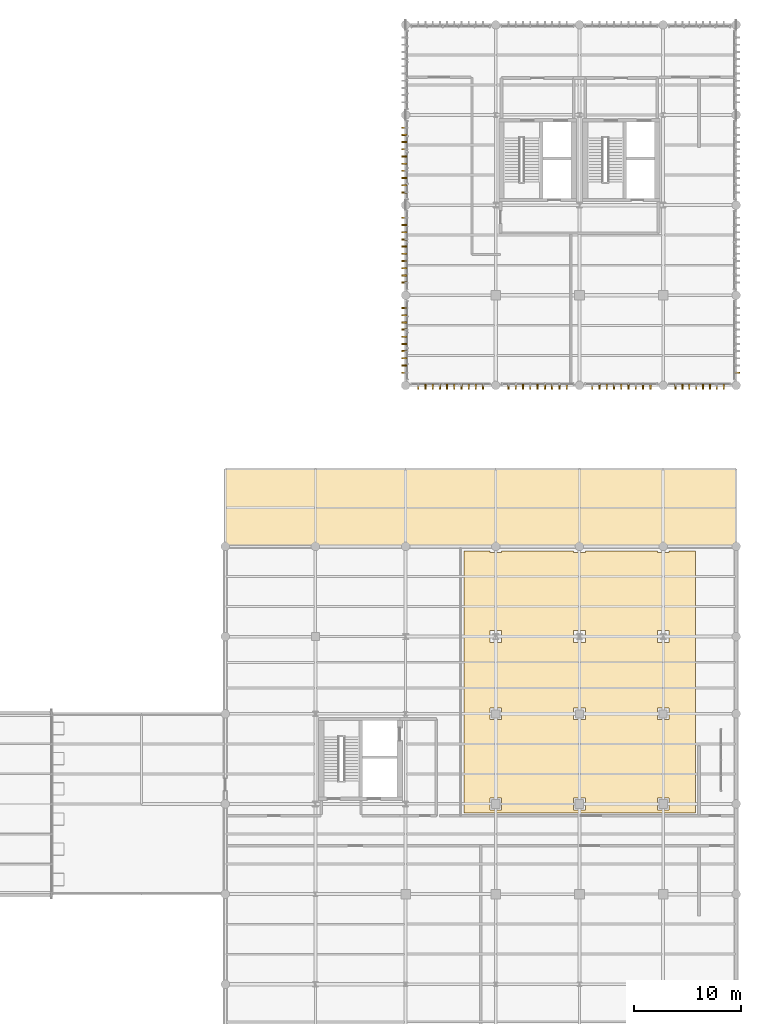
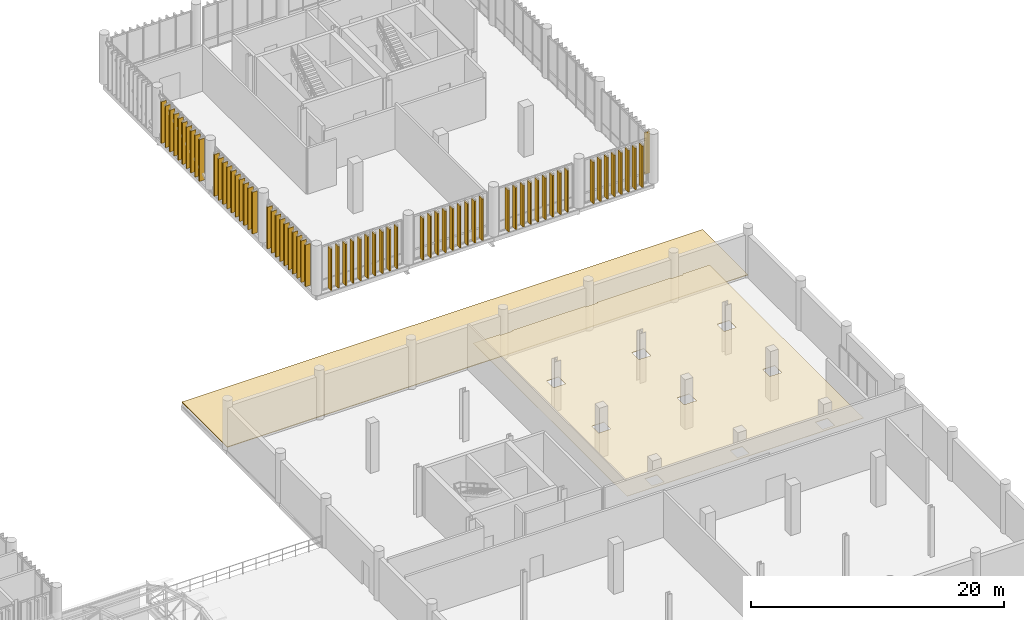
# One storey, part 105 of 109: 69 coverings, 1 element without a shape of its own.
"""IFC4 building model written with IfcOpenShell, lengths in metres."""

import ifcopenshell
import ifcopenshell.guid

model = None  # the IFC model being written
_history = None  # IfcOwnerHistory: only IFC2X3 demands one
_inside = {}  # id of a spatial element -> (the spatial element, [elements in it])
_under = {}  # id of a project, library or spatial element -> (it, [spatial elements below it])
_declared = {}  # id of a project -> (the project, [libraries it declares])
_typed = {}  # id of a type object -> (the type object, [elements of that type])
_made_of = {}  # id of a material, layer set ... -> (it, [elements and type objects made of it])


def new_model(schema):
    """Start an empty IFC model of exactly this schema.

    Asked for "IFC4X3", IfcOpenShell would pick the latest addendum, in which some entities
    have other attributes; the version numbers below select the first issue.
    IFC2X3 requires an IfcOwnerHistory on every rooted entity: one is made here for all.
    """
    global model, _history
    if schema == "IFC4X3":
        model = ifcopenshell.file(schema_version=(4, 3, 0, 0))
    else:
        model = ifcopenshell.file(schema=schema)
    _inside.clear()
    _under.clear()
    _declared.clear()
    _typed.clear()
    _made_of.clear()
    _history = None
    if model.schema == "IFC2X3":
        org = make("IfcOrganization", Name="unknown")
        user = make(
            "IfcPersonAndOrganization",
            ThePerson=make("IfcPerson", FamilyName="unknown"),
            TheOrganization=org,
        )
        app = make(
            "IfcApplication",
            ApplicationDeveloper=org,
            Version="unknown",
            ApplicationFullName="unknown",
            ApplicationIdentifier="unknown",
        )
        _history = make(
            "IfcOwnerHistory",
            OwningUser=user,
            OwningApplication=app,
            ChangeAction="ADDED",
            CreationDate=0,
        )
    return model


def make(cls, **values):
    """One entity of the class cls with the attributes given. An attribute that is None is left unset."""
    return model.create_entity(
        cls, **{name: value for name, value in values.items() if value is not None}
    )


def rooted(cls, **values):
    """An entity with a GlobalId (a new one), such as an element, a storey or a relation."""
    return make(cls, GlobalId=ifcopenshell.guid.new(), OwnerHistory=_history, **values)


def si_unit(unit_type, name, prefix=None):
    """IfcSIUnit, for example si_unit("LENGTHUNIT", "METRE", prefix="MILLI")."""
    return make("IfcSIUnit", UnitType=unit_type, Prefix=prefix, Name=name)


def assignment(units):
    """IfcUnitAssignment: the units of a project."""
    return None if units is None else make("IfcUnitAssignment", Units=units)


def point(xyz):
    """IfcCartesianPoint."""
    return None if xyz is None else make("IfcCartesianPoint", Coordinates=xyz)


def direction(xyz):
    """IfcDirection."""
    return None if xyz is None else make("IfcDirection", DirectionRatios=xyz)


def frame(location, z_axis=None, x_axis=None):
    """IfcAxis2Placement3D, a coordinate frame: its origin and axes. An axis left out is left unset."""
    return make(
        "IfcAxis2Placement3D",
        Location=point(location),
        Axis=direction(z_axis),
        RefDirection=direction(x_axis),
    )


def frame_2d(location, x_axis=None):
    """IfcAxis2Placement2D, a coordinate frame in the plane: its origin and x axis."""
    return make(
        "IfcAxis2Placement2D", Location=point(location), RefDirection=direction(x_axis)
    )


def origin_with_axes():
    """The frame at (0, 0, 0) with the z axis (0, 0, 1) and the x axis (1, 0, 0) written out."""
    return frame((0.0, 0.0, 0.0), z_axis=(0.0, 0.0, 1.0), x_axis=(1.0, 0.0, 0.0))


def place(relative_to, where):
    """IfcLocalPlacement: puts the frame where relative to a parent placement (None: the world)."""
    return make(
        "IfcLocalPlacement", PlacementRelTo=relative_to, RelativePlacement=where
    )


def context(
    kind, dimensions, precision=None, world=None, true_north=None, identifier=None
):
    """IfcGeometricRepresentationContext, for example the 3D "Model" context."""
    return make(
        "IfcGeometricRepresentationContext",
        ContextIdentifier=identifier,
        ContextType=kind,
        CoordinateSpaceDimension=dimensions,
        Precision=precision,
        WorldCoordinateSystem=world,
        TrueNorth=true_north,
    )


def subcontext(parent, identifier, kind, view, scale=None):
    """IfcGeometricRepresentationSubContext, for example "Body" below "Model"."""
    return make(
        "IfcGeometricRepresentationSubContext",
        ContextIdentifier=identifier,
        ContextType=kind,
        ParentContext=parent,
        TargetScale=scale,
        TargetView=view,
    )


def project(units=None, contexts=None):
    """IfcProject with its units and contexts."""
    return rooted(
        "IfcProject",
        Name="project",
        RepresentationContexts=contexts,
        UnitsInContext=assignment(units),
    )


def spatial(cls, under=None, at=None, **own):
    """A site, building, storey or space (cls), placed at a placement, below another one or the project."""
    s = rooted(cls, ObjectPlacement=at, **own)
    if under is not None:
        _under.setdefault(under.id(), (under, []))[1].append(s)
    return s


def polyline(points):
    """IfcPolyline through the points."""
    return make("IfcPolyline", Points=[point(p) for p in points])


def profile(cls, at=None, kind="AREA", **sizes):
    """A parametric profile (cls). Its sizes go by their IFC names, for example OverallWidth=200.0."""
    return make(cls, ProfileType=kind, Position=at, **sizes)


def rectangle(**sizes):
    """IfcRectangleProfileDef."""
    return profile("IfcRectangleProfileDef", **sizes)


def outline(outer, holes=None, kind="AREA"):
    """IfcArbitraryClosedProfileDef: a profile drawn as a closed curve; with holes, ...WithVoids."""
    if holes is None:
        return make("IfcArbitraryClosedProfileDef", ProfileType=kind, OuterCurve=outer)
    return make(
        "IfcArbitraryProfileDefWithVoids",
        ProfileType=kind,
        OuterCurve=outer,
        InnerCurves=holes,
    )


def extrude(swept, where, along, depth):
    """IfcExtrudedAreaSolid: the profile swept, set in the frame where, extruded along a direction by depth."""
    return make(
        "IfcExtrudedAreaSolid",
        SweptArea=swept,
        Position=where,
        ExtrudedDirection=direction(along),
        Depth=depth,
    )


def shape(context_of_items, identifier, shape_type, items):
    """IfcShapeRepresentation: the items that make up one representation, for example the "Body"."""
    return make(
        "IfcShapeRepresentation",
        ContextOfItems=context_of_items,
        RepresentationIdentifier=identifier,
        RepresentationType=shape_type,
        Items=items,
    )


def material(Name=None, Category=None):
    """IfcMaterial."""
    return make("IfcMaterial", Name=Name, Category=Category)


def made_of(thing, what):
    """Note that an element or type object is made of a material, layer set ...; save() writes the relation."""
    if what is not None:
        _made_of.setdefault(what.id(), (what, []))[1].append(thing)
    return thing


def type_object(cls, material=None, **own):
    """A type object (cls), such as IfcWallType, which elements share."""
    return made_of(rooted(cls, **own), material)


def element(
    cls,
    number,
    at=None,
    inside=None,
    cuts=None,
    type_object=None,
    material=None,
    context=None,
    identifier="Body",
    shape_type=None,
    held_by="IfcProductDefinitionShape",
    body=None,
    shapes=None,
    **own,
):
    """One element of the class cls, such as IfcWall. Its Tag is "e" and its number.

    at: its placement. inside: the storey or other place that contains it. cuts: it is an
    opening in that element (IfcRelVoidsElement). A single representation is given by context,
    identifier, shape_type and body (its items); several are given by shapes. held_by: the class
    of the entity that holds the representations. save() writes the other relations.
    """
    e = rooted(cls, Tag="e%d" % number, ObjectPlacement=at, **own)
    if body is not None:
        shapes = [shape(context, identifier, shape_type, body)]
    if shapes is not None:
        e.Representation = make(held_by, Representations=shapes)
    if inside is not None:
        _inside.setdefault(inside.id(), (inside, []))[1].append(e)
    if cuts is not None:
        rooted(
            "IfcRelVoidsElement", RelatingBuildingElement=cuts, RelatedOpeningElement=e
        )
    if type_object is not None:
        _typed.setdefault(type_object.id(), (type_object, []))[1].append(e)
    return made_of(e, material)


def aggregate(whole, parts):
    """IfcRelAggregates: a whole, such as a stair, and the parts it consists of."""
    return rooted("IfcRelAggregates", RelatingObject=whole, RelatedObjects=parts)


def save(model, path):
    """Write the relations noted so far, then the file.

    IfcRelAggregates (storeys below a building ...), IfcRelContainedInSpatialStructure (elements
    in a storey), IfcRelDefinesByType, IfcRelAssociatesMaterial and IfcRelDeclares: one each for
    every whole, place, type object, material and project.
    """
    for whole, parts in _under.values():
        aggregate(whole, parts)
    for where, things in _inside.values():
        rooted(
            "IfcRelContainedInSpatialStructure",
            RelatedElements=things,
            RelatingStructure=where,
        )
    for kind, things in _typed.values():
        rooted("IfcRelDefinesByType", RelatedObjects=things, RelatingType=kind)
    for what, things in _made_of.values():
        rooted("IfcRelAssociatesMaterial", RelatedObjects=things, RelatingMaterial=what)
    for by, libraries in _declared.values():
        rooted("IfcRelDeclares", RelatingContext=by, RelatedDefinitions=libraries)
    model.write(path)


model = new_model("IFC4")

# Units and contexts
model_context = context("Model", 3, precision=1e-05, world=origin_with_axes(), true_north=direction((0.0, 1.0)))
body_context = subcontext(model_context, "Body", "Model", "MODEL_VIEW")
ifc_project = project(units=[si_unit("LENGTHUNIT", "METRE"), si_unit("AREAUNIT", "SQUARE_METRE"), si_unit("VOLUMEUNIT", "CUBIC_METRE"), si_unit("PLANEANGLEUNIT", "RADIAN"), si_unit("MASSUNIT", "GRAM", prefix="KILO"), si_unit("THERMODYNAMICTEMPERATUREUNIT", "KELVIN")], contexts=[model_context])

# Site, building, storey
site_placement = place(None, origin_with_axes())
site = spatial("IfcSite", under=ifc_project, at=site_placement, CompositionType="ELEMENT")
building_placement = place(site_placement, origin_with_axes())
building = spatial("IfcBuilding", under=site, at=building_placement, Name="Montbau Bow Law Courts", CompositionType="ELEMENT")
storey_placement = place(building_placement, frame((0.0, 0.0, 10.8), z_axis=(0.0, 0.0, 1.0), x_axis=(1.0, 0.0, 0.0)))
storey = spatial("IfcBuildingStorey", under=building, at=storey_placement, Name="L02", CompositionType="ELEMENT", Elevation=10.8)

# Coverings
ifc_material_1 = material(Name="Micro-Perforated White-Oak Acoustic Courtroom Ceiling", Category="wood")
covering_type_1 = type_object("IfcCoveringType", Name="CV-CLG-01", PredefinedType="CEILING", material=ifc_material_1)
covering_1_placement = place(None, frame((0.0, 0.0, 13.34), z_axis=(0.0, 0.0, 1.0), x_axis=(1.0, 0.0, 0.0)))
element("IfcCovering", 1, at=covering_1_placement, inside=storey, type_object=covering_type_1, Name="CLG-L02-08:cov_3550", PredefinedType="CEILING", context=body_context, shape_type="SweptSolid", body=[
    extrude(outline(polyline([(146.45, 54.16), (146.45, 54.05), (147.55, 54.05), (147.55, 54.16), (154.25, 54.16), (154.25, 54.05), (155.35, 54.05), (155.35, 54.16), (162.05, 54.16), (162.05, 54.05), (163.15, 54.05), (163.15, 54.16), (165.63, 54.16), (165.63, 29.78), (144.024, 29.78), (144.024, 54.16), (146.45, 54.16)]), holes=[polyline([(146.45, 31.15), (146.45, 30.05), (147.55, 30.05), (147.55, 31.15), (146.45, 31.15)]), polyline([(146.45, 39.55), (146.45, 38.45), (147.55, 38.45), (147.55, 39.55), (146.45, 39.55)]), polyline([(146.45, 46.75), (146.45, 45.65), (147.55, 45.65), (147.55, 46.75), (146.45, 46.75)]), polyline([(154.25, 31.15), (154.25, 30.05), (155.35, 30.05), (155.35, 31.15), (154.25, 31.15)]), polyline([(162.05, 31.15), (162.05, 30.05), (163.15, 30.05), (163.15, 31.15), (162.05, 31.15)]), polyline([(155.35, 39.55), (154.25, 39.55), (154.25, 38.45), (155.35, 38.45), (155.35, 39.55)]), polyline([(163.15, 39.55), (162.05, 39.55), (162.05, 38.45), (163.15, 38.45), (163.15, 39.55)]), polyline([(162.05, 46.75), (162.05, 45.65), (163.15, 45.65), (163.15, 46.75), (162.05, 46.75)]), polyline([(155.35, 46.75), (154.25, 46.75), (154.25, 45.65), (155.35, 45.65), (155.35, 46.75)])]), origin_with_axes(), (0.0, 0.0, 1.0), 0.04),
])
ifc_material_2 = material(Name="Freeze-Thaw Glazed Slate-Grey Ceramic Vertical Louvre", Category="masonry")
covering_type_2 = type_object("IfcCoveringType", Name="CV-LVR-SLT", PredefinedType="CLADDING", material=ifc_material_2)
for number, where, z_axis, x_axis, name in (
    (2, (139.785, 69.73, 10.8), (-1.0, 0.0, 0.0), (0.0, -1.0, 0.0), "CLV-L02-2598:cov_2643"),
    (3, (140.455, 69.73, 10.8), (-1.0, 0.0, 0.0), (0.0, -1.0, 0.0), "CLV-L02-2599:cov_2644"),
    (4, (141.125, 69.73, 10.8), (-1.0, 0.0, 0.0), (0.0, -1.0, 0.0), "CLV-L02-2600:cov_2645"),
    (5, (141.795, 69.73, 10.8), (-1.0, 0.0, 0.0), (0.0, -1.0, 0.0), "CLV-L02-2601:cov_2646"),
    (6, (142.465, 69.73, 10.8), (-1.0, 0.0, 0.0), (0.0, -1.0, 0.0), "CLV-L02-2602:cov_2647"),
    (7, (143.135, 69.73, 10.8), (-1.0, 0.0, 0.0), (0.0, -1.0, 0.0), "CLV-L02-2603:cov_2648"),
    (8, (143.805, 69.73, 10.8), (-1.0, 0.0, 0.0), (0.0, -1.0, 0.0), "CLV-L02-2604:cov_2649"),
    (9, (144.475, 69.73, 10.8), (-1.0, 0.0, 0.0), (0.0, -1.0, 0.0), "CLV-L02-2605:cov_2650"),
    (10, (145.145, 69.73, 10.8), (-1.0, 0.0, 0.0), (0.0, -1.0, 0.0), "CLV-L02-2606:cov_2651"),
    (11, (145.815, 69.73, 10.8), (-1.0, 0.0, 0.0), (0.0, -1.0, 0.0), "CLV-L02-2607:cov_2652"),
    (12, (148.192, 69.73, 10.8), (-1.0, 0.0, 0.0), (0.0, -1.0, 0.0), "CLV-L02-2608:cov_2653"),
    (13, (148.869, 69.73, 10.8), (-1.0, 0.0, 0.0), (0.0, -1.0, 0.0), "CLV-L02-2609:cov_2654"),
    (14, (149.546, 69.73, 10.8), (-1.0, 0.0, 0.0), (0.0, -1.0, 0.0), "CLV-L02-2610:cov_2655"),
    (15, (150.223, 69.73, 10.8), (-1.0, 0.0, 0.0), (0.0, -1.0, 0.0), "CLV-L02-2611:cov_2656"),
    (16, (150.9, 69.73, 10.8), (-1.0, 0.0, 0.0), (0.0, -1.0, 0.0), "CLV-L02-2612:cov_2657"),
    (17, (151.577, 69.73, 10.8), (-1.0, 0.0, 0.0), (0.0, -1.0, 0.0), "CLV-L02-2613:cov_2658"),
    (18, (152.254, 69.73, 10.8), (-1.0, 0.0, 0.0), (0.0, -1.0, 0.0), "CLV-L02-2614:cov_2659"),
    (19, (152.931, 69.73, 10.8), (-1.0, 0.0, 0.0), (0.0, -1.0, 0.0), "CLV-L02-2615:cov_2660"),
    (20, (153.608, 69.73, 10.8), (-1.0, 0.0, 0.0), (0.0, -1.0, 0.0), "CLV-L02-2616:cov_2661"),
    (21, (155.992, 69.73, 10.8), (-1.0, 0.0, 0.0), (0.0, -1.0, 0.0), "CLV-L02-2617:cov_2662"),
    (22, (156.669, 69.73, 10.8), (-1.0, 0.0, 0.0), (0.0, -1.0, 0.0), "CLV-L02-2618:cov_2663"),
    (23, (157.346, 69.73, 10.8), (-1.0, 0.0, 0.0), (0.0, -1.0, 0.0), "CLV-L02-2619:cov_2664"),
    (24, (158.023, 69.73, 10.8), (-1.0, 0.0, 0.0), (0.0, -1.0, 0.0), "CLV-L02-2620:cov_2665"),
    (25, (158.7, 69.73, 10.8), (-1.0, 0.0, 0.0), (0.0, -1.0, 0.0), "CLV-L02-2621:cov_2666"),
    (26, (159.377, 69.73, 10.8), (-1.0, 0.0, 0.0), (0.0, -1.0, 0.0), "CLV-L02-2622:cov_2667"),
    (27, (160.054, 69.73, 10.8), (-1.0, 0.0, 0.0), (0.0, -1.0, 0.0), "CLV-L02-2623:cov_2668"),
    (28, (160.731, 69.73, 10.8), (-1.0, 0.0, 0.0), (0.0, -1.0, 0.0), "CLV-L02-2624:cov_2669"),
    (29, (161.408, 69.73, 10.8), (-1.0, 0.0, 0.0), (0.0, -1.0, 0.0), "CLV-L02-2625:cov_2670"),
    (30, (163.756, 69.73, 10.8), (-1.0, 0.0, 0.0), (0.0, -1.0, 0.0), "CLV-L02-2626:cov_2671"),
    (31, (164.397, 69.73, 10.8), (-1.0, 0.0, 0.0), (0.0, -1.0, 0.0), "CLV-L02-2627:cov_2672"),
    (32, (165.038, 69.73, 10.8), (-1.0, 0.0, 0.0), (0.0, -1.0, 0.0), "CLV-L02-2628:cov_2673"),
    (33, (165.679, 69.73, 10.8), (-1.0, 0.0, 0.0), (0.0, -1.0, 0.0), "CLV-L02-2629:cov_2674"),
    (34, (166.321, 69.73, 10.8), (-1.0, 0.0, 0.0), (0.0, -1.0, 0.0), "CLV-L02-2630:cov_2675"),
    (35, (166.962, 69.73, 10.8), (-1.0, 0.0, 0.0), (0.0, -1.0, 0.0), "CLV-L02-2631:cov_2676"),
    (36, (167.603, 69.73, 10.8), (-1.0, 0.0, 0.0), (0.0, -1.0, 0.0), "CLV-L02-2632:cov_2677"),
    (37, (168.244, 69.73, 10.8), (-1.0, 0.0, 0.0), (0.0, -1.0, 0.0), "CLV-L02-2633:cov_2678"),
    (38, (138.73, 70.785, 10.8), (0.0, 1.0, 0.0), (-1.0, 0.0, 0.0), "CLV-L02-2670:cov_2715"),
    (39, (138.73, 71.455, 10.8), (0.0, 1.0, 0.0), (-1.0, 0.0, 0.0), "CLV-L02-2671:cov_2716"),
    (40, (138.73, 72.125, 10.8), (0.0, 1.0, 0.0), (-1.0, 0.0, 0.0), "CLV-L02-2672:cov_2717"),
    (41, (138.73, 72.795, 10.8), (0.0, 1.0, 0.0), (-1.0, 0.0, 0.0), "CLV-L02-2673:cov_2718"),
    (42, (138.73, 73.465, 10.8), (0.0, 1.0, 0.0), (-1.0, 0.0, 0.0), "CLV-L02-2674:cov_2719"),
    (43, (138.73, 74.135, 10.8), (0.0, 1.0, 0.0), (-1.0, 0.0, 0.0), "CLV-L02-2675:cov_2720"),
    (44, (138.73, 74.805, 10.8), (0.0, 1.0, 0.0), (-1.0, 0.0, 0.0), "CLV-L02-2676:cov_2721"),
    (45, (138.73, 75.475, 10.8), (0.0, 1.0, 0.0), (-1.0, 0.0, 0.0), "CLV-L02-2677:cov_2722"),
    (46, (138.73, 76.145, 10.8), (0.0, 1.0, 0.0), (-1.0, 0.0, 0.0), "CLV-L02-2678:cov_2723"),
    (47, (138.73, 76.815, 10.8), (0.0, 1.0, 0.0), (-1.0, 0.0, 0.0), "CLV-L02-2679:cov_2724"),
    (48, (138.73, 79.185, 10.8), (0.0, 1.0, 0.0), (-1.0, 0.0, 0.0), "CLV-L02-2680:cov_2725"),
    (49, (138.73, 79.855, 10.8), (0.0, 1.0, 0.0), (-1.0, 0.0, 0.0), "CLV-L02-2681:cov_2726"),
    (50, (138.73, 80.525, 10.8), (0.0, 1.0, 0.0), (-1.0, 0.0, 0.0), "CLV-L02-2682:cov_2727"),
    (51, (138.73, 81.195, 10.8), (0.0, 1.0, 0.0), (-1.0, 0.0, 0.0), "CLV-L02-2683:cov_2728"),
    (52, (138.73, 81.865, 10.8), (0.0, 1.0, 0.0), (-1.0, 0.0, 0.0), "CLV-L02-2684:cov_2729"),
    (53, (138.73, 82.535, 10.8), (0.0, 1.0, 0.0), (-1.0, 0.0, 0.0), "CLV-L02-2685:cov_2730"),
    (54, (138.73, 83.205, 10.8), (0.0, 1.0, 0.0), (-1.0, 0.0, 0.0), "CLV-L02-2686:cov_2731"),
    (55, (138.73, 83.875, 10.8), (0.0, 1.0, 0.0), (-1.0, 0.0, 0.0), "CLV-L02-2687:cov_2732"),
    (56, (138.73, 84.545, 10.8), (0.0, 1.0, 0.0), (-1.0, 0.0, 0.0), "CLV-L02-2688:cov_2733"),
    (57, (138.73, 85.215, 10.8), (0.0, 1.0, 0.0), (-1.0, 0.0, 0.0), "CLV-L02-2689:cov_2734"),
    (58, (138.73, 87.585, 10.8), (0.0, 1.0, 0.0), (-1.0, 0.0, 0.0), "CLV-L02-2690:cov_2735"),
    (59, (138.73, 88.255, 10.8), (0.0, 1.0, 0.0), (-1.0, 0.0, 0.0), "CLV-L02-2691:cov_2736"),
    (60, (138.73, 88.925, 10.8), (0.0, 1.0, 0.0), (-1.0, 0.0, 0.0), "CLV-L02-2692:cov_2737"),
    (61, (138.73, 89.595, 10.8), (0.0, 1.0, 0.0), (-1.0, 0.0, 0.0), "CLV-L02-2693:cov_2738"),
    (62, (138.73, 90.265, 10.8), (0.0, 1.0, 0.0), (-1.0, 0.0, 0.0), "CLV-L02-2694:cov_2739"),
    (63, (138.73, 90.935, 10.8), (0.0, 1.0, 0.0), (-1.0, 0.0, 0.0), "CLV-L02-2695:cov_2740"),
    (64, (138.73, 91.605, 10.8), (0.0, 1.0, 0.0), (-1.0, 0.0, 0.0), "CLV-L02-2696:cov_2741"),
    (65, (138.73, 92.275, 10.8), (0.0, 1.0, 0.0), (-1.0, 0.0, 0.0), "CLV-L02-2697:cov_2742"),
    (66, (138.73, 92.945, 10.8), (0.0, 1.0, 0.0), (-1.0, 0.0, 0.0), "CLV-L02-2698:cov_2743"),
    (67, (138.73, 93.615, 10.8), (0.0, 1.0, 0.0), (-1.0, 0.0, 0.0), "CLV-L02-2699:cov_2744"),
    (68, (169.27, 70.785, 10.8), (0.0, -1.0, 0.0), (1.0, 0.0, 0.0), "CLV-L02-2710:cov_2755"),
):
    element("IfcCovering", number, at=place(None, frame(where, z_axis=z_axis, x_axis=x_axis)), inside=storey, type_object=covering_type_2, Name=name, PredefinedType="CLADDING", context=body_context, shape_type="SweptSolid", body=[
        extrude(rectangle(XDim=0.48, YDim=4.04, at=frame_2d((0.24, 2.02), x_axis=(1.0, 0.0))), frame((0.0, 0.0, -0.06), z_axis=(0.0, 0.0, 1.0), x_axis=(1.0, 0.0, 0.0)), (0.0, 0.0, 1.0), 0.12),
    ])

# Roof, covering
ifc_material_3 = material(Name="Insulated Inverted Membrane Roof", Category="other")
roof_type = type_object("IfcRoofType", Name="RF-FL-01", PredefinedType="FLAT_ROOF", material=ifc_material_3)
roof_placement = place(None, frame((121.8, 54.604, 10.8), z_axis=(0.0, 0.0, 1.0), x_axis=(1.0, 0.0, 0.0)))
roof = element("IfcRoof", 69, at=roof_placement, inside=storey, type_object=roof_type, Name="ROOF-LID-L02-15:rof_0020", PredefinedType="FLAT_ROOF")
ifc_material_4 = material(Name="Standing-Seam Pre-Weathered Zinc Roofing Membrane", Category="steel")
covering_type_3 = type_object("IfcCoveringType", Name="CV-ROF-01", PredefinedType="ROOFING", material=ifc_material_4)
covering_2_placement = place(None, frame((0.0, 0.0, 10.8), z_axis=(0.0, 0.0, 1.0), x_axis=(1.0, 0.0, 0.0)))
covering_2 = element("IfcCovering", 70, at=covering_2_placement, type_object=covering_type_3, Name="CVR-LID-L02-15:cov_0020", PredefinedType="ROOFING", context=body_context, shape_type="SweptSolid", body=[
    extrude(outline(polyline([(121.8, 61.8), (169.4, 61.8), (169.4, 54.604), (121.8, 54.604), (121.8, 61.8)])), origin_with_axes(), (0.0, 0.0, 1.0), 0.06),
])
aggregate(roof, [covering_2])

save(model, "model.ifc")
